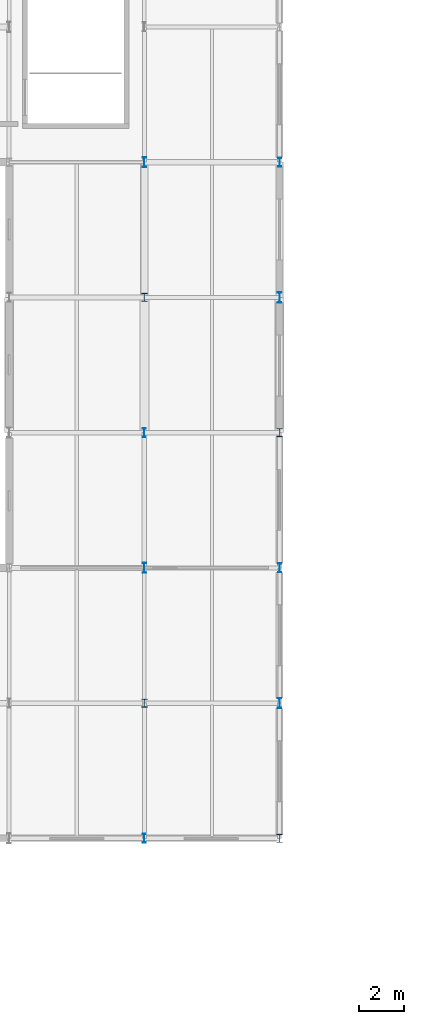
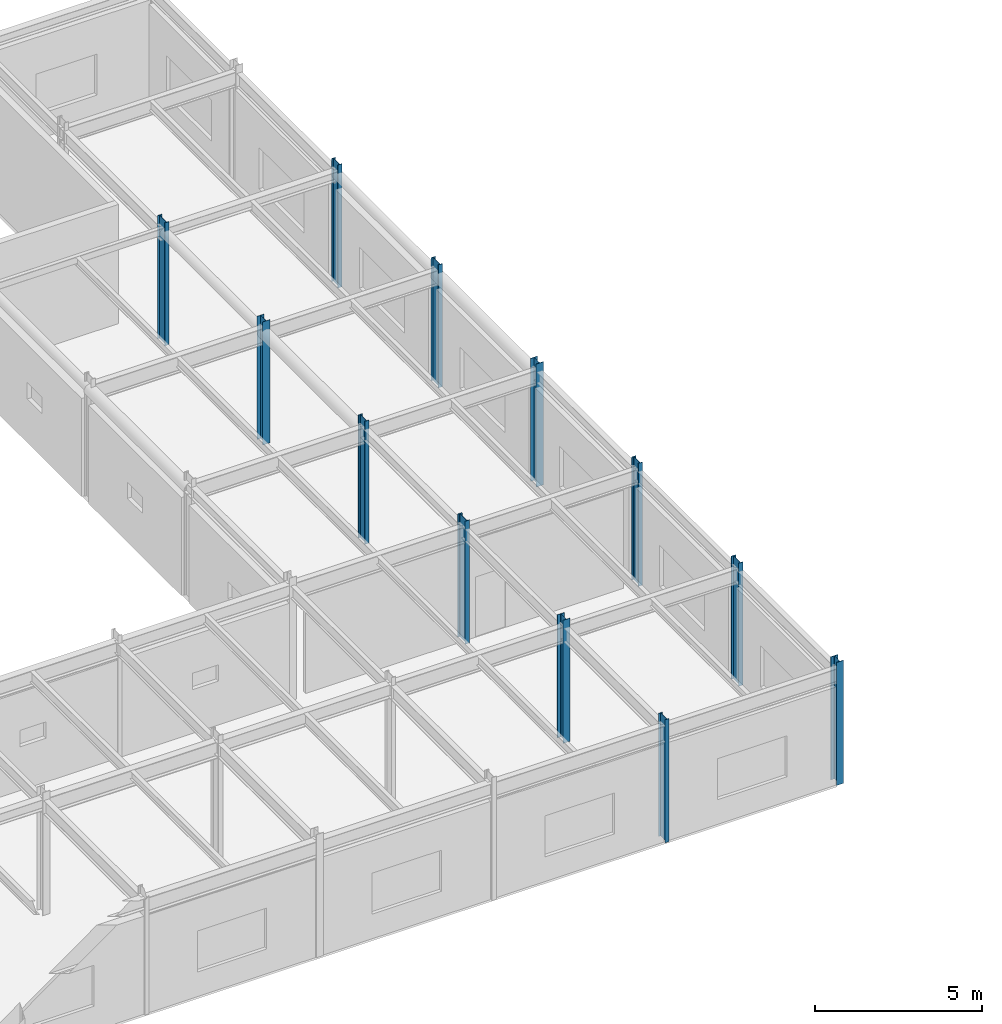
# One storey, part 20 of 84: 12 columns.
"""IFC4 building model written with IfcOpenShell, lengths in metres."""

from ifc_helpers import new_model, si_unit, direction, frame, origin, origin_2d, place, context, subcontext, project, spatial, i_section, extrude, material, material_profile, profile_set, type_object, element, save


model = new_model("IFC4")

# Units and contexts
model_context = context("Model", 3, precision=1e-05, world=origin(), true_north=direction((0.0, 1.0)))
body_context = subcontext(model_context, "Body", "Model", "MODEL_VIEW")
ifc_project = project(units=[si_unit("LENGTHUNIT", "METRE"), si_unit("AREAUNIT", "SQUARE_METRE"), si_unit("VOLUMEUNIT", "CUBIC_METRE"), si_unit("PLANEANGLEUNIT", "RADIAN"), si_unit("MASSUNIT", "GRAM", prefix="KILO")], contexts=[model_context])

# Site, building, storey
site_placement = place(None, origin())
site = spatial("IfcSite", under=ifc_project, at=site_placement, CompositionType="ELEMENT")
building_placement = place(site_placement, origin())
building = spatial("IfcBuilding", under=site, at=building_placement, Name="Varnakota Square Police Headquarters", CompositionType="ELEMENT")
storey_placement = place(building_placement, frame((0.0, 0.0, 13.5)))
storey = spatial("IfcBuildingStorey", under=building, at=storey_placement, Name="L03", CompositionType="ELEMENT", Elevation=13.5)

# Columns
ifc_material = material(Name="Steel IS 2062 Grade 350", Category="steel")
ifc_material_profile_1 = material_profile(ifc_material, i_section(OverallWidth=0.25, OverallDepth=0.35009765625, WebThickness=0.010009765625, FlangeThickness=0.01171875, FilletRadius=0.011962890625, at=origin_2d()), Name="ISHB 350")
ifc_profile_set_1 = profile_set([ifc_material_profile_1], Name="Steel IS 2062 Grade 350")
column_type_1 = type_object("IfcColumnType", Name="COL-ISHB350", PredefinedType="COLUMN", material=ifc_profile_set_1)
for number, where, z_axis, x_axis, name in (
    (1, (138.0, 75.0, 0.0), (0.0, 0.0, 1.0), (1.0, 0.0, 0.0), "Column X1380-Y0750 L03"),
    (2, (138.0, 93.0, 0.0), (0.0, 0.0, 1.0), (1.0, 0.0, 0.0), "Column X1380-Y0930 L03"),
    (3, (144.0, 69.0, 0.0), (0.0, 0.0, 1.0), (1.0, 0.0, 0.0), "Column X1440-Y0690 L03"),
    (4, (144.0, 87.0, 0.0), (0.0, 0.0, 1.0), (1.0, 0.0, 0.0), "Column X1440-Y0870 L03"),
):
    element("IfcColumn", number, at=place(storey_placement, frame(where, z_axis=z_axis, x_axis=x_axis)), inside=storey, type_object=column_type_1, Name=name, PredefinedType="COLUMN", context=body_context, shape_type="SweptSolid", body=[
        extrude(i_section(OverallWidth=0.25, OverallDepth=0.35009765625, WebThickness=0.010009765625, FlangeThickness=0.01171875, FilletRadius=0.011962890625, at=origin_2d()), origin(), (0.0, 0.0, 1.0), 4.5),
    ])
ifc_material_profile_2 = material_profile(ifc_material, i_section(OverallWidth=0.139892578125, OverallDepth=0.39990234375, WebThickness=0.0087890625, FlangeThickness=0.01611328125, FilletRadius=0.013916015625, at=origin_2d()), Name="ISMB 400")
ifc_profile_set_2 = profile_set([ifc_material_profile_2], Name="Steel IS 2062 Grade 350")
column_type_2 = type_object("IfcColumnType", Name="COL-ISMB400", PredefinedType="COLUMN", material=ifc_profile_set_2)
for number, where, z_axis, x_axis, name in (
    (5, (138.0, 69.0, 0.0), (0.0, 0.0, 1.0), (1.0, 0.0, 0.0), "Column X1380-Y0690 L03"),
    (6, (138.0, 87.0, 0.0), (0.0, 0.0, 1.0), (1.0, 0.0, 0.0), "Column X1380-Y0870 L03"),
    (7, (144.0, 81.0, 0.0), (0.0, 0.0, 1.0), (1.0, 0.0, 0.0), "Column X1440-Y0810 L03"),
    (8, (144.0, 99.0, 0.0), (0.0, 0.0, 1.0), (1.0, 0.0, 0.0), "Column X1440-Y0990 L03"),
):
    element("IfcColumn", number, at=place(storey_placement, frame(where, z_axis=z_axis, x_axis=x_axis)), inside=storey, type_object=column_type_2, Name=name, PredefinedType="COLUMN", context=body_context, shape_type="SweptSolid", body=[
        extrude(i_section(OverallWidth=0.139892578125, OverallDepth=0.39990234375, WebThickness=0.0087890625, FlangeThickness=0.01611328125, FilletRadius=0.013916015625, at=origin_2d()), origin(), (0.0, 0.0, 1.0), 4.5),
    ])
ifc_material_profile_3 = material_profile(ifc_material, i_section(OverallWidth=0.14990234375, OverallDepth=0.449951171875, WebThickness=0.009521484375, FlangeThickness=0.017333984375, FilletRadius=0.014892578125, at=origin_2d()), Name="ISMB 450")
ifc_profile_set_3 = profile_set([ifc_material_profile_3], Name="Steel IS 2062 Grade 350")
column_type_3 = type_object("IfcColumnType", Name="COL-ISMB450", PredefinedType="COLUMN", material=ifc_profile_set_3)
for number, where, z_axis, x_axis, name in (
    (9, (138.0, 81.0, 0.0), (0.0, 0.0, 1.0), (1.0, 0.0, 0.0), "Column X1380-Y0810 L03"),
    (10, (138.0, 99.0, 0.0), (0.0, 0.0, 1.0), (1.0, 0.0, 0.0), "Column X1380-Y0990 L03"),
    (11, (144.0, 75.0, 0.0), (0.0, 0.0, 1.0), (1.0, 0.0, 0.0), "Column X1440-Y0750 L03"),
    (12, (144.0, 93.0, 0.0), (0.0, 0.0, 1.0), (1.0, 0.0, 0.0), "Column X1440-Y0930 L03"),
):
    element("IfcColumn", number, at=place(storey_placement, frame(where, z_axis=z_axis, x_axis=x_axis)), inside=storey, type_object=column_type_3, Name=name, PredefinedType="COLUMN", context=body_context, shape_type="SweptSolid", body=[
        extrude(i_section(OverallWidth=0.14990234375, OverallDepth=0.449951171875, WebThickness=0.009521484375, FlangeThickness=0.017333984375, FilletRadius=0.014892578125, at=origin_2d()), origin(), (0.0, 0.0, 1.0), 4.5),
    ])

save(model, "model.ifc")
